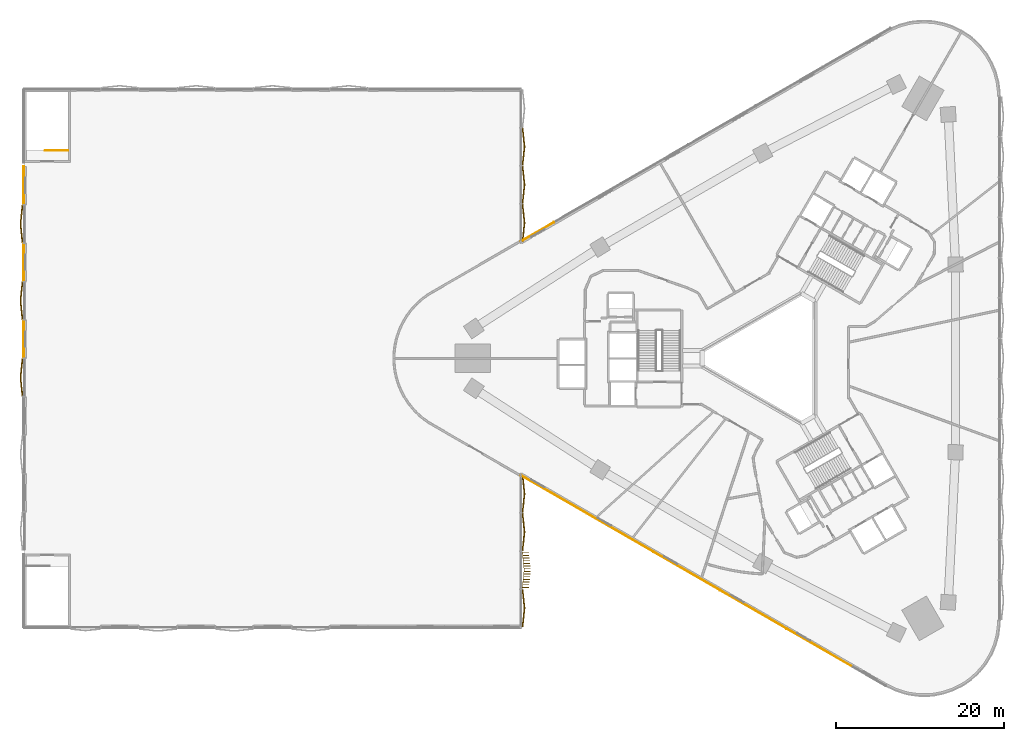
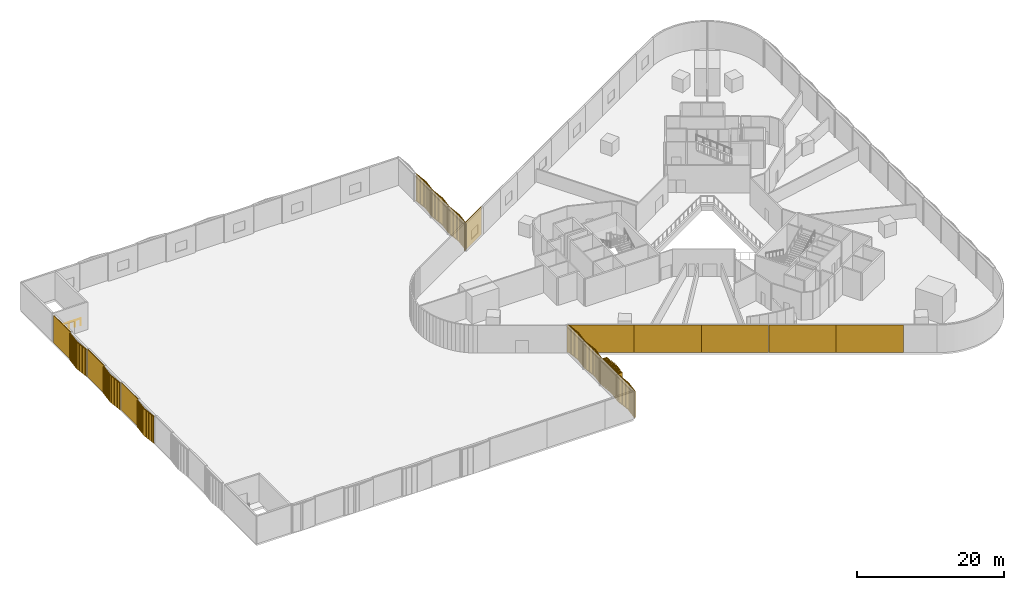
# One storey, part 20 of 24: 19 coverings, 1 railing.
"""IFC4 building model written with IfcOpenShell, lengths in metres."""

from ifc_helpers import new_model, si_unit, direction, frame, frame_2d, origin, origin_2d, place, context, subcontext, project, spatial, rectangle, circle, extrude, source, transform, mapped, material, layer, layer_set, type_object, element, save


model = new_model("IFC4")

# Units and contexts
model_context = context("Model", 3, precision=1e-05, world=origin(), true_north=direction((0.0, 1.0)))
body_context = subcontext(model_context, "Body", "Model", "MODEL_VIEW")
ifc_project = project(units=[si_unit("LENGTHUNIT", "METRE"), si_unit("AREAUNIT", "SQUARE_METRE"), si_unit("VOLUMEUNIT", "CUBIC_METRE"), si_unit("PLANEANGLEUNIT", "RADIAN"), si_unit("MASSUNIT", "GRAM", prefix="KILO")], contexts=[model_context])

# Site, building, storey
site_placement = place(None, origin())
site = spatial("IfcSite", under=ifc_project, at=site_placement, CompositionType="ELEMENT")
building_placement = place(site_placement, origin())
building = spatial("IfcBuilding", under=site, at=building_placement, Name="Tamra Quay Hotel Tower", CompositionType="ELEMENT")
storey_placement = place(building_placement, frame((0.0, 0.0, 19.5)))
storey = spatial("IfcBuildingStorey", under=building, at=storey_placement, Name="L03", CompositionType="ELEMENT", Elevation=19.5)

# Coverings
ifc_material_1 = material(Name="Precast concrete M60 terracotta-coloured pierced relief", Category="masonry")
ifc_layer = layer(ifc_material_1, 0.10009765625)
ifc_layer_set = layer_set([ifc_layer], Name="PIERCED RELIEF PANEL 100")
covering_type_1 = type_object("IfcCoveringType", Name="PIERCED RELIEF PANEL 100", PredefinedType="CLADDING", material=ifc_layer_set)
for number, where, z_axis, x_axis, name in (
    (1, (-26.070556640625, -16.182861328125, 0.0), (0.0, 0.0, 1.0), (0.866025403784, -0.5, 0.0), "Relief panel L03.SW.00"),
    (2, (-18.161376953125, -20.749267578125, 0.0), (0.0, 0.0, 1.0), (0.866025403784, -0.5, 0.0), "Relief panel L03.SW.02"),
    (3, (-10.252197265625, -25.3154296875, 0.0), (0.0, 0.0, 1.0), (0.866025403784, -0.5, 0.0), "Relief panel L03.SW.04"),
    (4, (-2.34326171875, -29.8818359375, 0.0), (0.0, 0.0, 1.0), (0.866025403784, -0.5, 0.0), "Relief panel L03.SW.06"),
    (5, (5.56591796875, -34.4482421875, 0.0), (0.0, 0.0, 1.0), (0.866025403784, -0.5, 0.0), "Relief panel L03.SW.08"),
):
    element("IfcCovering", number, at=place(storey_placement, frame(where, z_axis=z_axis, x_axis=x_axis)), inside=storey, type_object=covering_type_1, Name=name, PredefinedType="CLADDING", context=body_context, shape_type="SweptSolid", body=[
        extrude(rectangle(XDim=9.112548828125, YDim=0.10009765625, at=origin_2d()), origin(), (0.0, 0.0, 1.0), 4.550048828125),
    ])
covering_1_placement = place(storey_placement, frame((-28.024169921875, 15.053955078125, 0.0), z_axis=(0.0, 0.0, 1.0), x_axis=(-0.866214936261, -0.499671576337, 0.0)))
element("IfcCovering", 6, at=covering_1_placement, inside=storey, type_object=covering_type_1, Name="Relief panel L03.NW.10", PredefinedType="CLADDING", context=body_context, shape_type="SweptSolid", body=[
    extrude(rectangle(XDim=4.599853515625, YDim=0.10009765625, at=origin_2d()), origin(), (0.0, 0.0, 1.0), 4.550048828125),
])
for number, where, z_axis, x_axis, name in (
    (7, (-89.14990234375, 20.571533203125, 0.0), (0.0, 0.0, 1.0), (0.0, -1.0, 0.0), "Relief panel L03.W.00"),
    (8, (-89.14990234375, 11.428466796875, 0.0), (0.0, 0.0, 1.0), (0.0, -1.0, 0.0), "Relief panel L03.W.02"),
    (9, (-89.14990234375, 2.28564453125, 0.0), (0.0, 0.0, 1.0), (0.0, -1.0, 0.0), "Relief panel L03.W.04"),
):
    element("IfcCovering", number, at=place(storey_placement, frame(where, z_axis=z_axis, x_axis=x_axis)), inside=storey, type_object=covering_type_1, Name=name, PredefinedType="CLADDING", context=body_context, shape_type="SweptSolid", body=[
        extrude(rectangle(XDim=4.551513671875, YDim=0.10009765625, at=origin_2d()), origin(), (0.0, 0.0, 1.0), 4.550048828125),
    ])

# Railing
ifc_material_2 = material(Name="Stair guard 1100")
railing_type = type_object("IfcRailingType", Name="Stair guard 1100", PredefinedType="GUARDRAIL", material=ifc_material_2)
railing_placement = place(storey_placement, frame((-83.8701171875, 24.719970703125, 0.0)))
element("IfcRailing", 10, at=railing_placement, inside=storey, type_object=railing_type, Name="GR", PredefinedType="GUARDRAIL", context=body_context, shape_type="SweptSolid", body=[
    extrude(circle(Radius=0.02392578125, at=origin_2d()), frame((0.0, 0.0, 1.076171875), z_axis=(-1.0, 0.0, 0.0), x_axis=(0.0, -1.0, 0.0)), (0.0, 0.0, 1.0), 2.759765625),
    extrude(circle(Radius=0.02099609375, at=origin_2d()), origin(), (0.0, 0.0, 1.0), 1.052001953125),
    extrude(circle(Radius=0.02099609375, at=origin_2d()), frame((-0.919921875, 0.0, 0.0)), (0.0, 0.0, 1.0), 1.052001953125),
    extrude(circle(Radius=0.02099609375, at=origin_2d()), frame((-1.83984375, 0.0, 0.0)), (0.0, 0.0, 1.0), 1.052001953125),
    extrude(circle(Radius=0.02099609375, at=origin_2d()), frame((-2.759765625, 0.0, 0.0)), (0.0, 0.0, 1.0), 1.052001953125),
])

# Coverings
ifc_material_3 = material(Name="Terracotta baguette extruded", Category="masonry")
covering_type_2 = type_object("IfcCoveringType", Name="BAGUETTE SCREEN PODIUM-SHALLOW H4550", PredefinedType="USERDEFINED", material=ifc_material_3)
shared_shape_1 = source(origin(), body_context, "Body", "SweptSolid", [
    extrude(rectangle(XDim=2.234619140625, YDim=0.06005859375, at=frame_2d((1.1171875, 0.030029296875))), frame((-2.228759765625, -0.0576171875, -0.1201171875), z_axis=(0.0, 0.0, 1.0), x_axis=(0.994521895368, -0.104528463268, 0.0)), (0.0, 0.0, 1.0), 0.1201171875),
    extrude(rectangle(XDim=2.234619140625, YDim=0.06005859375, at=frame_2d((1.1171875, 0.030029296875))), frame((-2.228759765625, -0.0576171875, -4.550048828125), z_axis=(0.0, 0.0, 1.0), x_axis=(0.994521895368, -0.104528463268, 0.0)), (0.0, 0.0, 1.0), 0.1201171875),
    extrude(rectangle(XDim=0.094970703125, YDim=0.10009765625, at=frame_2d((0.04736328125, 0.050048828125))), frame((-2.219482421875, -0.13330078125, -4.489990234375)), (0.0, 0.0, 1.0), 4.429931640625),
    extrude(rectangle(XDim=0.094970703125, YDim=0.10009765625, at=frame_2d((0.04736328125, 0.050048828125))), frame((-2.118408203125, -0.14404296875, -4.489990234375)), (0.0, 0.0, 1.0), 4.429931640625),
    extrude(rectangle(XDim=0.094970703125, YDim=0.10009765625, at=frame_2d((0.04736328125, 0.050048828125))), frame((-2.017333984375, -0.154541015625, -4.489990234375)), (0.0, 0.0, 1.0), 4.429931640625),
    extrude(rectangle(XDim=0.094970703125, YDim=0.10009765625, at=frame_2d((0.04736328125, 0.050048828125))), frame((-1.91650390625, -0.1650390625, -4.489990234375)), (0.0, 0.0, 1.0), 4.429931640625),
    extrude(rectangle(XDim=0.094970703125, YDim=0.10009765625, at=frame_2d((0.04736328125, 0.050048828125))), frame((-1.8154296875, -0.17578125, -4.489990234375)), (0.0, 0.0, 1.0), 4.429931640625),
    extrude(rectangle(XDim=0.094970703125, YDim=0.10009765625, at=frame_2d((0.04736328125, 0.050048828125))), frame((-1.71435546875, -0.186279296875, -4.489990234375)), (0.0, 0.0, 1.0), 4.429931640625),
    extrude(rectangle(XDim=0.094970703125, YDim=0.10009765625, at=frame_2d((0.04736328125, 0.050048828125))), frame((-1.61328125, -0.197021484375, -4.489990234375)), (0.0, 0.0, 1.0), 4.429931640625),
    extrude(rectangle(XDim=0.094970703125, YDim=0.10009765625, at=frame_2d((0.04736328125, 0.050048828125))), frame((-1.512451171875, -0.20751953125, -4.489990234375)), (0.0, 0.0, 1.0), 4.429931640625),
    extrude(rectangle(XDim=0.094970703125, YDim=0.10009765625, at=frame_2d((0.04736328125, 0.050048828125))), frame((-1.411376953125, -0.21826171875, -4.489990234375)), (0.0, 0.0, 1.0), 4.429931640625),
    extrude(rectangle(XDim=0.094970703125, YDim=0.10009765625, at=frame_2d((0.04736328125, 0.050048828125))), frame((-1.310302734375, -0.228759765625, -4.489990234375)), (0.0, 0.0, 1.0), 4.429931640625),
    extrude(rectangle(XDim=0.094970703125, YDim=0.10009765625, at=frame_2d((0.04736328125, 0.050048828125))), frame((-1.209228515625, -0.239501953125, -4.489990234375)), (0.0, 0.0, 1.0), 4.429931640625),
    extrude(rectangle(XDim=0.094970703125, YDim=0.10009765625, at=frame_2d((0.04736328125, 0.050048828125))), frame((-1.108154296875, -0.25, -4.489990234375)), (0.0, 0.0, 1.0), 4.429931640625),
    extrude(rectangle(XDim=0.094970703125, YDim=0.10009765625, at=frame_2d((0.04736328125, 0.050048828125))), frame((-1.00732421875, -0.2607421875, -4.489990234375)), (0.0, 0.0, 1.0), 4.429931640625),
    extrude(rectangle(XDim=0.094970703125, YDim=0.10009765625, at=frame_2d((0.04736328125, 0.050048828125))), frame((-0.90625, -0.271240234375, -4.489990234375)), (0.0, 0.0, 1.0), 4.429931640625),
    extrude(rectangle(XDim=0.094970703125, YDim=0.10009765625, at=frame_2d((0.04736328125, 0.050048828125))), frame((-0.80517578125, -0.281982421875, -4.489990234375)), (0.0, 0.0, 1.0), 4.429931640625),
    extrude(rectangle(XDim=0.094970703125, YDim=0.10009765625, at=frame_2d((0.04736328125, 0.050048828125))), frame((-0.7041015625, -0.29248046875, -4.489990234375)), (0.0, 0.0, 1.0), 4.429931640625),
    extrude(rectangle(XDim=0.094970703125, YDim=0.10009765625, at=frame_2d((0.04736328125, 0.050048828125))), frame((-0.60302734375, -0.30322265625, -4.489990234375)), (0.0, 0.0, 1.0), 4.429931640625),
    extrude(rectangle(XDim=0.094970703125, YDim=0.10009765625, at=frame_2d((0.04736328125, 0.050048828125))), frame((-0.502197265625, -0.313720703125, -4.489990234375)), (0.0, 0.0, 1.0), 4.429931640625),
    extrude(rectangle(XDim=0.094970703125, YDim=0.10009765625, at=frame_2d((0.04736328125, 0.050048828125))), frame((-0.401123046875, -0.324462890625, -4.489990234375)), (0.0, 0.0, 1.0), 4.429931640625),
    extrude(rectangle(XDim=0.094970703125, YDim=0.10009765625, at=frame_2d((0.04736328125, 0.050048828125))), frame((-0.300048828125, -0.3349609375, -4.489990234375)), (0.0, 0.0, 1.0), 4.429931640625),
    extrude(rectangle(XDim=0.094970703125, YDim=0.10009765625, at=frame_2d((0.04736328125, 0.050048828125))), frame((-0.198974609375, -0.345703125, -4.489990234375)), (0.0, 0.0, 1.0), 4.429931640625),
    extrude(rectangle(XDim=0.094970703125, YDim=0.10009765625, at=frame_2d((0.04736328125, 0.050048828125))), frame((-0.097900390625, -0.356201171875, -4.489990234375)), (0.0, 0.0, 1.0), 4.429931640625),
    extrude(rectangle(XDim=2.234619140625, YDim=0.06005859375, at=frame_2d((1.1171875, 0.030029296875))), frame((0.00634765625, -0.291259765625, -0.1201171875), z_axis=(0.0, 0.0, 1.0), x_axis=(0.994521895368, 0.104528463268, 0.0)), (0.0, 0.0, 1.0), 0.1201171875),
    extrude(rectangle(XDim=2.234619140625, YDim=0.06005859375, at=frame_2d((1.1171875, 0.030029296875))), frame((0.00634765625, -0.291259765625, -4.550048828125), z_axis=(0.0, 0.0, 1.0), x_axis=(0.994521895368, 0.104528463268, 0.0)), (0.0, 0.0, 1.0), 0.1201171875),
    extrude(rectangle(XDim=0.094970703125, YDim=0.10009765625, at=frame_2d((0.04736328125, 0.050048828125))), frame((0.0029296875, -0.356201171875, -4.489990234375)), (0.0, 0.0, 1.0), 4.429931640625),
    extrude(rectangle(XDim=0.094970703125, YDim=0.10009765625, at=frame_2d((0.04736328125, 0.050048828125))), frame((0.10400390625, -0.345703125, -4.489990234375)), (0.0, 0.0, 1.0), 4.429931640625),
    extrude(rectangle(XDim=0.094970703125, YDim=0.10009765625, at=frame_2d((0.04736328125, 0.050048828125))), frame((0.205078125, -0.3349609375, -4.489990234375)), (0.0, 0.0, 1.0), 4.429931640625),
    extrude(rectangle(XDim=0.094970703125, YDim=0.10009765625, at=frame_2d((0.04736328125, 0.050048828125))), frame((0.30615234375, -0.324462890625, -4.489990234375)), (0.0, 0.0, 1.0), 4.429931640625),
    extrude(rectangle(XDim=0.094970703125, YDim=0.10009765625, at=frame_2d((0.04736328125, 0.050048828125))), frame((0.406982421875, -0.313720703125, -4.489990234375)), (0.0, 0.0, 1.0), 4.429931640625),
    extrude(rectangle(XDim=0.094970703125, YDim=0.10009765625, at=frame_2d((0.04736328125, 0.050048828125))), frame((0.508056640625, -0.30322265625, -4.489990234375)), (0.0, 0.0, 1.0), 4.429931640625),
    extrude(rectangle(XDim=0.094970703125, YDim=0.10009765625, at=frame_2d((0.04736328125, 0.050048828125))), frame((0.609130859375, -0.29248046875, -4.489990234375)), (0.0, 0.0, 1.0), 4.429931640625),
    extrude(rectangle(XDim=0.094970703125, YDim=0.10009765625, at=frame_2d((0.04736328125, 0.050048828125))), frame((0.710205078125, -0.281982421875, -4.489990234375)), (0.0, 0.0, 1.0), 4.429931640625),
    extrude(rectangle(XDim=0.094970703125, YDim=0.10009765625, at=frame_2d((0.04736328125, 0.050048828125))), frame((0.811279296875, -0.271240234375, -4.489990234375)), (0.0, 0.0, 1.0), 4.429931640625),
    extrude(rectangle(XDim=0.094970703125, YDim=0.10009765625, at=frame_2d((0.04736328125, 0.050048828125))), frame((0.912109375, -0.2607421875, -4.489990234375)), (0.0, 0.0, 1.0), 4.429931640625),
    extrude(rectangle(XDim=0.094970703125, YDim=0.10009765625, at=frame_2d((0.04736328125, 0.050048828125))), frame((1.01318359375, -0.25, -4.489990234375)), (0.0, 0.0, 1.0), 4.429931640625),
    extrude(rectangle(XDim=0.094970703125, YDim=0.10009765625, at=frame_2d((0.04736328125, 0.050048828125))), frame((1.1142578125, -0.239501953125, -4.489990234375)), (0.0, 0.0, 1.0), 4.429931640625),
    extrude(rectangle(XDim=0.094970703125, YDim=0.10009765625, at=frame_2d((0.04736328125, 0.050048828125))), frame((1.21533203125, -0.228759765625, -4.489990234375)), (0.0, 0.0, 1.0), 4.429931640625),
    extrude(rectangle(XDim=0.094970703125, YDim=0.10009765625, at=frame_2d((0.04736328125, 0.050048828125))), frame((1.31640625, -0.21826171875, -4.489990234375)), (0.0, 0.0, 1.0), 4.429931640625),
    extrude(rectangle(XDim=0.094970703125, YDim=0.10009765625, at=frame_2d((0.04736328125, 0.050048828125))), frame((1.417236328125, -0.20751953125, -4.489990234375)), (0.0, 0.0, 1.0), 4.429931640625),
    extrude(rectangle(XDim=0.094970703125, YDim=0.10009765625, at=frame_2d((0.04736328125, 0.050048828125))), frame((1.518310546875, -0.197021484375, -4.489990234375)), (0.0, 0.0, 1.0), 4.429931640625),
    extrude(rectangle(XDim=0.094970703125, YDim=0.10009765625, at=frame_2d((0.04736328125, 0.050048828125))), frame((1.619384765625, -0.186279296875, -4.489990234375)), (0.0, 0.0, 1.0), 4.429931640625),
    extrude(rectangle(XDim=0.094970703125, YDim=0.10009765625, at=frame_2d((0.04736328125, 0.050048828125))), frame((1.720458984375, -0.17578125, -4.489990234375)), (0.0, 0.0, 1.0), 4.429931640625),
    extrude(rectangle(XDim=0.094970703125, YDim=0.10009765625, at=frame_2d((0.04736328125, 0.050048828125))), frame((1.821533203125, -0.1650390625, -4.489990234375)), (0.0, 0.0, 1.0), 4.429931640625),
    extrude(rectangle(XDim=0.094970703125, YDim=0.10009765625, at=frame_2d((0.04736328125, 0.050048828125))), frame((1.92236328125, -0.154541015625, -4.489990234375)), (0.0, 0.0, 1.0), 4.429931640625),
    extrude(rectangle(XDim=0.094970703125, YDim=0.10009765625, at=frame_2d((0.04736328125, 0.050048828125))), frame((2.0234375, -0.14404296875, -4.489990234375)), (0.0, 0.0, 1.0), 4.429931640625),
    extrude(rectangle(XDim=0.094970703125, YDim=0.10009765625, at=frame_2d((0.04736328125, 0.050048828125))), frame((2.12451171875, -0.13330078125, -4.489990234375)), (0.0, 0.0, 1.0), 4.429931640625),
])
for number, where, z_axis, x_axis, name in (
    (11, (-29.85205078125, -29.73193359375, 4.550048828125), (0.0, 0.0, 1.0), (0.0, 1.0, 0.0), "Baguette screen L03.E.f00"),
    (12, (-29.85205078125, -20.66015625, 4.550048828125), (0.0, 0.0, 1.0), (0.0, 1.0, 0.0), "Baguette screen L03.E.f02"),
    (13, (-29.85205078125, -16.124267578125, 4.550048828125), (0.0, 0.0, 1.0), (0.0, 1.0, 0.0), "Baguette screen L03.E.f03"),
    (14, (-29.85205078125, 16.124267578125, 4.550048828125), (0.0, 0.0, 1.0), (0.0, 1.0, 0.0), "Baguette screen L03.E.f17"),
    (15, (-29.85205078125, 20.66015625, 4.550048828125), (0.0, 0.0, 1.0), (0.0, 1.0, 0.0), "Baguette screen L03.E.f18"),
    (16, (-29.85205078125, 25.196044921875, 4.550048828125), (0.0, 0.0, 1.0), (0.0, 1.0, 0.0), "Baguette screen L03.E.f19"),
):
    element("IfcCovering", number, at=place(storey_placement, frame(where, z_axis=z_axis, x_axis=x_axis)), inside=storey, type_object=covering_type_2, Name=name, ObjectType="BAGUETTE SCREEN", PredefinedType="USERDEFINED", context=body_context, shape_type="MappedRepresentation", body=[
        mapped(shared_shape_1, transform((0.0, 0.0, 0.0), scale=1.0)),
    ])
covering_type_3 = type_object("IfcCoveringType", Name="BAGUETTE SCREEN PODIUM-DEEP H4550", PredefinedType="USERDEFINED", material=ifc_material_3)
shared_shape_2 = source(origin(), body_context, "Body", "SweptSolid", [
    extrude(rectangle(XDim=2.234619140625, YDim=0.06005859375, at=frame_2d((1.1171875, 0.030029296875))), frame((-2.228759765625, -0.0576171875, -0.1201171875), z_axis=(0.0, 0.0, 1.0), x_axis=(0.994521895368, -0.104528463268, 0.0)), (0.0, 0.0, 1.0), 0.1201171875),
    extrude(rectangle(XDim=2.234619140625, YDim=0.06005859375, at=frame_2d((1.1171875, 0.030029296875))), frame((-2.228759765625, -0.0576171875, -4.550048828125), z_axis=(0.0, 0.0, 1.0), x_axis=(0.994521895368, -0.104528463268, 0.0)), (0.0, 0.0, 1.0), 0.1201171875),
    extrude(rectangle(XDim=0.10009765625, YDim=0.780029296875, at=frame_2d((0.050048828125, 0.39013671875))), frame((-2.11376953125, -0.82470703125, -4.489990234375)), (0.0, 0.0, 1.0), 4.429931640625),
    extrude(rectangle(XDim=0.10009765625, YDim=0.780029296875, at=frame_2d((0.050048828125, 0.39013671875))), frame((-1.796142578125, -0.858154296875, -4.489990234375)), (0.0, 0.0, 1.0), 4.429931640625),
    extrude(rectangle(XDim=0.10009765625, YDim=0.780029296875, at=frame_2d((0.050048828125, 0.39013671875))), frame((-1.478759765625, -0.891357421875, -4.489990234375)), (0.0, 0.0, 1.0), 4.429931640625),
    extrude(rectangle(XDim=0.10009765625, YDim=0.780029296875, at=frame_2d((0.050048828125, 0.39013671875))), frame((-1.1611328125, -0.9248046875, -4.489990234375)), (0.0, 0.0, 1.0), 4.429931640625),
    extrude(rectangle(XDim=0.10009765625, YDim=0.780029296875, at=frame_2d((0.050048828125, 0.39013671875))), frame((-0.84375, -0.958251953125, -4.489990234375)), (0.0, 0.0, 1.0), 4.429931640625),
    extrude(rectangle(XDim=0.10009765625, YDim=0.780029296875, at=frame_2d((0.050048828125, 0.39013671875))), frame((-0.5263671875, -0.991455078125, -4.489990234375)), (0.0, 0.0, 1.0), 4.429931640625),
    extrude(rectangle(XDim=0.10009765625, YDim=0.780029296875, at=frame_2d((0.050048828125, 0.39013671875))), frame((-0.208740234375, -1.02490234375, -4.489990234375)), (0.0, 0.0, 1.0), 4.429931640625),
    extrude(rectangle(XDim=2.234619140625, YDim=0.06005859375, at=frame_2d((1.1171875, 0.030029296875))), frame((0.00634765625, -0.291259765625, -0.1201171875), z_axis=(0.0, 0.0, 1.0), x_axis=(0.994521895368, 0.104528463268, 0.0)), (0.0, 0.0, 1.0), 0.1201171875),
    extrude(rectangle(XDim=2.234619140625, YDim=0.06005859375, at=frame_2d((1.1171875, 0.030029296875))), frame((0.00634765625, -0.291259765625, -4.550048828125), z_axis=(0.0, 0.0, 1.0), x_axis=(0.994521895368, 0.104528463268, 0.0)), (0.0, 0.0, 1.0), 0.1201171875),
    extrude(rectangle(XDim=0.10009765625, YDim=0.780029296875, at=frame_2d((0.050048828125, 0.39013671875))), frame((0.108642578125, -1.02490234375, -4.489990234375)), (0.0, 0.0, 1.0), 4.429931640625),
    extrude(rectangle(XDim=0.10009765625, YDim=0.780029296875, at=frame_2d((0.050048828125, 0.39013671875))), frame((0.42626953125, -0.991455078125, -4.489990234375)), (0.0, 0.0, 1.0), 4.429931640625),
    extrude(rectangle(XDim=0.10009765625, YDim=0.780029296875, at=frame_2d((0.050048828125, 0.39013671875))), frame((0.74365234375, -0.958251953125, -4.489990234375)), (0.0, 0.0, 1.0), 4.429931640625),
    extrude(rectangle(XDim=0.10009765625, YDim=0.780029296875, at=frame_2d((0.050048828125, 0.39013671875))), frame((1.061279296875, -0.9248046875, -4.489990234375)), (0.0, 0.0, 1.0), 4.429931640625),
    extrude(rectangle(XDim=0.10009765625, YDim=0.780029296875, at=frame_2d((0.050048828125, 0.39013671875))), frame((1.378662109375, -0.891357421875, -4.489990234375)), (0.0, 0.0, 1.0), 4.429931640625),
    extrude(rectangle(XDim=0.10009765625, YDim=0.780029296875, at=frame_2d((0.050048828125, 0.39013671875))), frame((1.6962890625, -0.858154296875, -4.489990234375)), (0.0, 0.0, 1.0), 4.429931640625),
    extrude(rectangle(XDim=0.10009765625, YDim=0.780029296875, at=frame_2d((0.050048828125, 0.39013671875))), frame((2.013671875, -0.82470703125, -4.489990234375)), (0.0, 0.0, 1.0), 4.429931640625),
])
covering_2_placement = place(storey_placement, frame((-29.85205078125, -25.196044921875, 4.550048828125), z_axis=(0.0, 0.0, 1.0), x_axis=(0.0, 1.0, 0.0)))
element("IfcCovering", 17, at=covering_2_placement, inside=storey, type_object=covering_type_3, Name="Baguette screen L03.E.f01", ObjectType="BAGUETTE SCREEN", PredefinedType="USERDEFINED", context=body_context, shape_type="MappedRepresentation", body=[
    mapped(shared_shape_2, transform((0.0, 0.0, 0.0), scale=1.0)),
])
shared_shape_3 = source(origin(), body_context, "Body", "SweptSolid", [
    extrude(rectangle(XDim=2.2548828125, YDim=0.06005859375, at=frame_2d((1.12744140625, 0.030029296875))), frame((-2.248779296875, -0.0576171875, -0.1201171875), z_axis=(0.0, 0.0, 1.0), x_axis=(0.994521895368, -0.104528463268, 0.0)), (0.0, 0.0, 1.0), 0.1201171875),
    extrude(rectangle(XDim=2.2548828125, YDim=0.06005859375, at=frame_2d((1.12744140625, 0.030029296875))), frame((-2.248779296875, -0.0576171875, -4.550048828125), z_axis=(0.0, 0.0, 1.0), x_axis=(0.994521895368, -0.104528463268, 0.0)), (0.0, 0.0, 1.0), 0.1201171875),
    extrude(rectangle(XDim=0.094970703125, YDim=0.10009765625, at=frame_2d((0.04736328125, 0.050048828125))), frame((-2.2412109375, -0.133056640625, -4.489990234375)), (0.0, 0.0, 1.0), 4.429931640625),
    extrude(rectangle(XDim=0.094970703125, YDim=0.10009765625, at=frame_2d((0.04736328125, 0.050048828125))), frame((-2.143798828125, -0.143310546875, -4.489990234375)), (0.0, 0.0, 1.0), 4.429931640625),
    extrude(rectangle(XDim=0.094970703125, YDim=0.10009765625, at=frame_2d((0.04736328125, 0.050048828125))), frame((-2.046142578125, -0.153564453125, -4.489990234375)), (0.0, 0.0, 1.0), 4.429931640625),
    extrude(rectangle(XDim=0.094970703125, YDim=0.10009765625, at=frame_2d((0.04736328125, 0.050048828125))), frame((-1.94873046875, -0.163818359375, -4.489990234375)), (0.0, 0.0, 1.0), 4.429931640625),
    extrude(rectangle(XDim=0.094970703125, YDim=0.10009765625, at=frame_2d((0.04736328125, 0.050048828125))), frame((-1.851318359375, -0.174072265625, -4.489990234375)), (0.0, 0.0, 1.0), 4.429931640625),
    extrude(rectangle(XDim=0.094970703125, YDim=0.10009765625, at=frame_2d((0.04736328125, 0.050048828125))), frame((-1.753662109375, -0.184326171875, -4.489990234375)), (0.0, 0.0, 1.0), 4.429931640625),
    extrude(rectangle(XDim=0.094970703125, YDim=0.10009765625, at=frame_2d((0.04736328125, 0.050048828125))), frame((-1.65625, -0.194580078125, -4.489990234375)), (0.0, 0.0, 1.0), 4.429931640625),
    extrude(rectangle(XDim=0.094970703125, YDim=0.10009765625, at=frame_2d((0.04736328125, 0.050048828125))), frame((-1.558837890625, -0.204833984375, -4.489990234375)), (0.0, 0.0, 1.0), 4.429931640625),
    extrude(rectangle(XDim=0.094970703125, YDim=0.10009765625, at=frame_2d((0.04736328125, 0.050048828125))), frame((-1.461181640625, -0.215087890625, -4.489990234375)), (0.0, 0.0, 1.0), 4.429931640625),
    extrude(rectangle(XDim=0.094970703125, YDim=0.10009765625, at=frame_2d((0.04736328125, 0.050048828125))), frame((-1.36376953125, -0.225341796875, -4.489990234375)), (0.0, 0.0, 1.0), 4.429931640625),
    extrude(rectangle(XDim=0.094970703125, YDim=0.10009765625, at=frame_2d((0.04736328125, 0.050048828125))), frame((-1.266357421875, -0.235595703125, -4.489990234375)), (0.0, 0.0, 1.0), 4.429931640625),
    extrude(rectangle(XDim=0.094970703125, YDim=0.10009765625, at=frame_2d((0.04736328125, 0.050048828125))), frame((-1.168701171875, -0.245849609375, -4.489990234375)), (0.0, 0.0, 1.0), 4.429931640625),
    extrude(rectangle(XDim=0.094970703125, YDim=0.10009765625, at=frame_2d((0.04736328125, 0.050048828125))), frame((-1.0712890625, -0.256103515625, -4.489990234375)), (0.0, 0.0, 1.0), 4.429931640625),
    extrude(rectangle(XDim=0.094970703125, YDim=0.10009765625, at=frame_2d((0.04736328125, 0.050048828125))), frame((-0.9736328125, -0.266357421875, -4.489990234375)), (0.0, 0.0, 1.0), 4.429931640625),
    extrude(rectangle(XDim=0.094970703125, YDim=0.10009765625, at=frame_2d((0.04736328125, 0.050048828125))), frame((-0.876220703125, -0.276611328125, -4.489990234375)), (0.0, 0.0, 1.0), 4.429931640625),
    extrude(rectangle(XDim=0.094970703125, YDim=0.10009765625, at=frame_2d((0.04736328125, 0.050048828125))), frame((-0.77880859375, -0.286865234375, -4.489990234375)), (0.0, 0.0, 1.0), 4.429931640625),
    extrude(rectangle(XDim=0.094970703125, YDim=0.10009765625, at=frame_2d((0.04736328125, 0.050048828125))), frame((-0.68115234375, -0.297119140625, -4.489990234375)), (0.0, 0.0, 1.0), 4.429931640625),
    extrude(rectangle(XDim=0.094970703125, YDim=0.10009765625, at=frame_2d((0.04736328125, 0.050048828125))), frame((-0.583740234375, -0.307373046875, -4.489990234375)), (0.0, 0.0, 1.0), 4.429931640625),
    extrude(rectangle(XDim=0.094970703125, YDim=0.10009765625, at=frame_2d((0.04736328125, 0.050048828125))), frame((-0.486328125, -0.317626953125, -4.489990234375)), (0.0, 0.0, 1.0), 4.429931640625),
    extrude(rectangle(XDim=0.094970703125, YDim=0.10009765625, at=frame_2d((0.04736328125, 0.050048828125))), frame((-0.388671875, -0.327880859375, -4.489990234375)), (0.0, 0.0, 1.0), 4.429931640625),
    extrude(rectangle(XDim=0.094970703125, YDim=0.10009765625, at=frame_2d((0.04736328125, 0.050048828125))), frame((-0.291259765625, -0.338134765625, -4.489990234375)), (0.0, 0.0, 1.0), 4.429931640625),
    extrude(rectangle(XDim=0.094970703125, YDim=0.10009765625, at=frame_2d((0.04736328125, 0.050048828125))), frame((-0.19384765625, -0.348388671875, -4.489990234375)), (0.0, 0.0, 1.0), 4.429931640625),
    extrude(rectangle(XDim=0.094970703125, YDim=0.10009765625, at=frame_2d((0.04736328125, 0.050048828125))), frame((-0.09619140625, -0.358642578125, -4.489990234375)), (0.0, 0.0, 1.0), 4.429931640625),
    extrude(rectangle(XDim=2.2548828125, YDim=0.06005859375, at=frame_2d((1.12744140625, 0.030029296875))), frame((0.00634765625, -0.29345703125, -0.1201171875), z_axis=(0.0, 0.0, 1.0), x_axis=(0.994521895368, 0.104528463268, 0.0)), (0.0, 0.0, 1.0), 0.1201171875),
    extrude(rectangle(XDim=2.2548828125, YDim=0.06005859375, at=frame_2d((1.12744140625, 0.030029296875))), frame((0.00634765625, -0.29345703125, -4.550048828125), z_axis=(0.0, 0.0, 1.0), x_axis=(0.994521895368, 0.104528463268, 0.0)), (0.0, 0.0, 1.0), 0.1201171875),
    extrude(rectangle(XDim=0.094970703125, YDim=0.10009765625, at=frame_2d((0.04736328125, 0.050048828125))), frame((0.001220703125, -0.358642578125, -4.489990234375)), (0.0, 0.0, 1.0), 4.429931640625),
    extrude(rectangle(XDim=0.094970703125, YDim=0.10009765625, at=frame_2d((0.04736328125, 0.050048828125))), frame((0.0986328125, -0.348388671875, -4.489990234375)), (0.0, 0.0, 1.0), 4.429931640625),
    extrude(rectangle(XDim=0.094970703125, YDim=0.10009765625, at=frame_2d((0.04736328125, 0.050048828125))), frame((0.1962890625, -0.338134765625, -4.489990234375)), (0.0, 0.0, 1.0), 4.429931640625),
    extrude(rectangle(XDim=0.094970703125, YDim=0.10009765625, at=frame_2d((0.04736328125, 0.050048828125))), frame((0.293701171875, -0.327880859375, -4.489990234375)), (0.0, 0.0, 1.0), 4.429931640625),
    extrude(rectangle(XDim=0.094970703125, YDim=0.10009765625, at=frame_2d((0.04736328125, 0.050048828125))), frame((0.391357421875, -0.317626953125, -4.489990234375)), (0.0, 0.0, 1.0), 4.429931640625),
    extrude(rectangle(XDim=0.094970703125, YDim=0.10009765625, at=frame_2d((0.04736328125, 0.050048828125))), frame((0.48876953125, -0.307373046875, -4.489990234375)), (0.0, 0.0, 1.0), 4.429931640625),
    extrude(rectangle(XDim=0.094970703125, YDim=0.10009765625, at=frame_2d((0.04736328125, 0.050048828125))), frame((0.586181640625, -0.297119140625, -4.489990234375)), (0.0, 0.0, 1.0), 4.429931640625),
    extrude(rectangle(XDim=0.094970703125, YDim=0.10009765625, at=frame_2d((0.04736328125, 0.050048828125))), frame((0.683837890625, -0.286865234375, -4.489990234375)), (0.0, 0.0, 1.0), 4.429931640625),
    extrude(rectangle(XDim=0.094970703125, YDim=0.10009765625, at=frame_2d((0.04736328125, 0.050048828125))), frame((0.78125, -0.276611328125, -4.489990234375)), (0.0, 0.0, 1.0), 4.429931640625),
    extrude(rectangle(XDim=0.094970703125, YDim=0.10009765625, at=frame_2d((0.04736328125, 0.050048828125))), frame((0.878662109375, -0.266357421875, -4.489990234375)), (0.0, 0.0, 1.0), 4.429931640625),
    extrude(rectangle(XDim=0.094970703125, YDim=0.10009765625, at=frame_2d((0.04736328125, 0.050048828125))), frame((0.976318359375, -0.256103515625, -4.489990234375)), (0.0, 0.0, 1.0), 4.429931640625),
    extrude(rectangle(XDim=0.094970703125, YDim=0.10009765625, at=frame_2d((0.04736328125, 0.050048828125))), frame((1.07373046875, -0.245849609375, -4.489990234375)), (0.0, 0.0, 1.0), 4.429931640625),
    extrude(rectangle(XDim=0.094970703125, YDim=0.10009765625, at=frame_2d((0.04736328125, 0.050048828125))), frame((1.171142578125, -0.235595703125, -4.489990234375)), (0.0, 0.0, 1.0), 4.429931640625),
    extrude(rectangle(XDim=0.094970703125, YDim=0.10009765625, at=frame_2d((0.04736328125, 0.050048828125))), frame((1.268798828125, -0.225341796875, -4.489990234375)), (0.0, 0.0, 1.0), 4.429931640625),
    extrude(rectangle(XDim=0.094970703125, YDim=0.10009765625, at=frame_2d((0.04736328125, 0.050048828125))), frame((1.3662109375, -0.215087890625, -4.489990234375)), (0.0, 0.0, 1.0), 4.429931640625),
    extrude(rectangle(XDim=0.094970703125, YDim=0.10009765625, at=frame_2d((0.04736328125, 0.050048828125))), frame((1.4638671875, -0.204833984375, -4.489990234375)), (0.0, 0.0, 1.0), 4.429931640625),
    extrude(rectangle(XDim=0.094970703125, YDim=0.10009765625, at=frame_2d((0.04736328125, 0.050048828125))), frame((1.561279296875, -0.194580078125, -4.489990234375)), (0.0, 0.0, 1.0), 4.429931640625),
    extrude(rectangle(XDim=0.094970703125, YDim=0.10009765625, at=frame_2d((0.04736328125, 0.050048828125))), frame((1.65869140625, -0.184326171875, -4.489990234375)), (0.0, 0.0, 1.0), 4.429931640625),
    extrude(rectangle(XDim=0.094970703125, YDim=0.10009765625, at=frame_2d((0.04736328125, 0.050048828125))), frame((1.75634765625, -0.174072265625, -4.489990234375)), (0.0, 0.0, 1.0), 4.429931640625),
    extrude(rectangle(XDim=0.094970703125, YDim=0.10009765625, at=frame_2d((0.04736328125, 0.050048828125))), frame((1.853759765625, -0.163818359375, -4.489990234375)), (0.0, 0.0, 1.0), 4.429931640625),
    extrude(rectangle(XDim=0.094970703125, YDim=0.10009765625, at=frame_2d((0.04736328125, 0.050048828125))), frame((1.951171875, -0.153564453125, -4.489990234375)), (0.0, 0.0, 1.0), 4.429931640625),
    extrude(rectangle(XDim=0.094970703125, YDim=0.10009765625, at=frame_2d((0.04736328125, 0.050048828125))), frame((2.048828125, -0.143310546875, -4.489990234375)), (0.0, 0.0, 1.0), 4.429931640625),
    extrude(rectangle(XDim=0.094970703125, YDim=0.10009765625, at=frame_2d((0.04736328125, 0.050048828125))), frame((2.146240234375, -0.133056640625, -4.489990234375)), (0.0, 0.0, 1.0), 4.429931640625),
])
for number, where, z_axis, x_axis, name in (
    (18, (-89.248046875, 16.0, 4.550048828125), (0.0, 0.0, 1.0), (0.0, -1.0, 0.0), "Baguette screen L03.W.f00"),
    (19, (-89.248046875, 6.857177734375, 4.550048828125), (0.0, 0.0, 1.0), (0.0, -1.0, 0.0), "Baguette screen L03.W.f01"),
    (20, (-89.248046875, -2.28564453125, 4.550048828125), (0.0, 0.0, 1.0), (0.0, -1.0, 0.0), "Baguette screen L03.W.f02"),
):
    element("IfcCovering", number, at=place(storey_placement, frame(where, z_axis=z_axis, x_axis=x_axis)), inside=storey, type_object=covering_type_2, Name=name, ObjectType="BAGUETTE SCREEN", PredefinedType="USERDEFINED", context=body_context, shape_type="MappedRepresentation", body=[
        mapped(shared_shape_3, transform((0.0, 0.0, 0.0), scale=1.0)),
    ])

save(model, "model.ifc")
